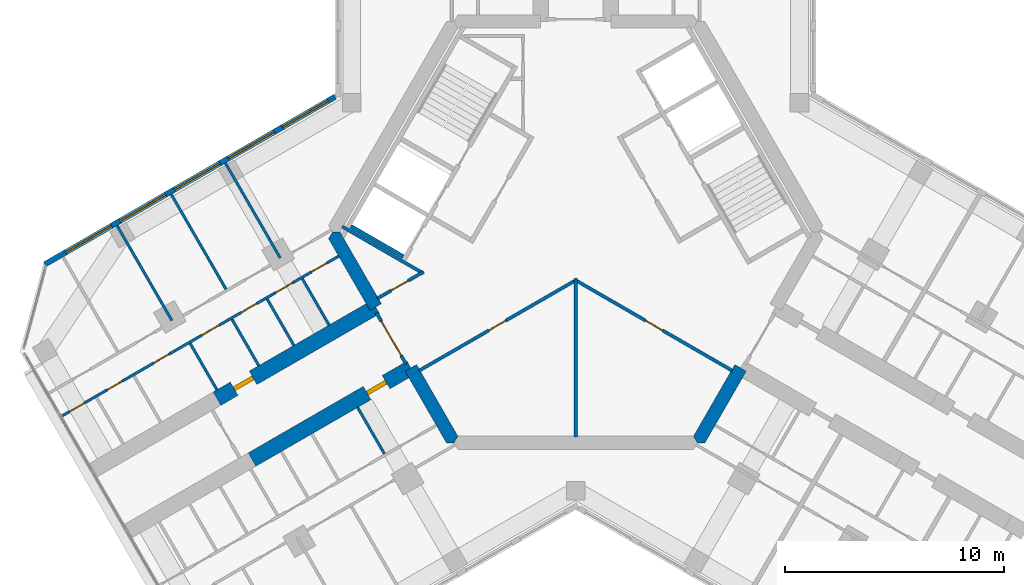
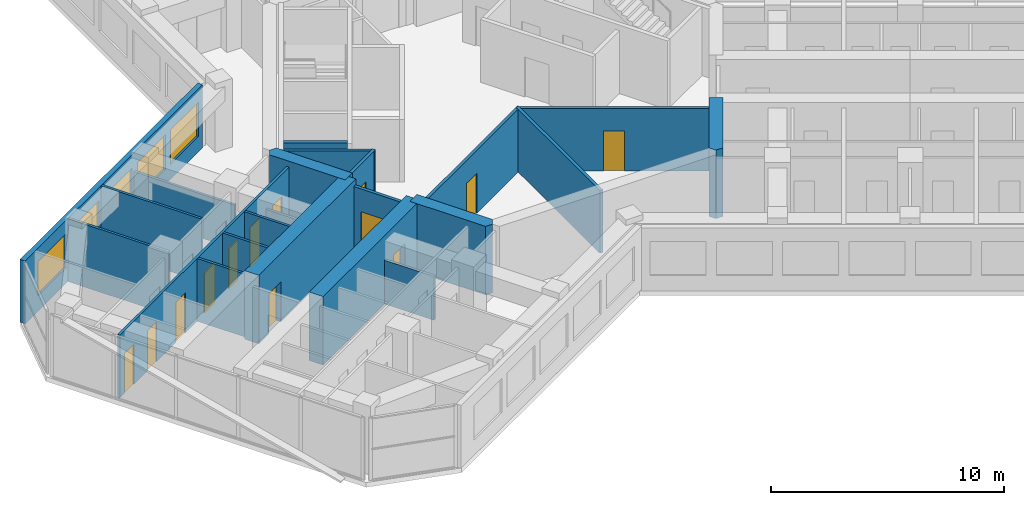
# One storey, part 9 of 16: 22 walls, 13 doors, 5 windows, 18 openings.
"""IFC4 building model written with IfcOpenShell, lengths in metres."""

from ifc_helpers import new_model, si_unit, direction, frame, frame_2d, origin, place, context, subcontext, project, spatial, polyline, rectangle, outline, extrude, material, layer, layer_set, type_object, element, fill, save


model = new_model("IFC4")

# Units and contexts
model_context = context("Model", 3, precision=1e-05, world=origin(), true_north=direction((0.0, 1.0)))
body_context = subcontext(model_context, "Body", "Model", "MODEL_VIEW")
ifc_project = project(units=[si_unit("LENGTHUNIT", "METRE"), si_unit("AREAUNIT", "SQUARE_METRE"), si_unit("VOLUMEUNIT", "CUBIC_METRE"), si_unit("PLANEANGLEUNIT", "RADIAN"), si_unit("MASSUNIT", "GRAM", prefix="KILO")], contexts=[model_context])

# Site, building, storey
site_placement = place(None, origin())
site = spatial("IfcSite", under=ifc_project, at=site_placement, CompositionType="ELEMENT")
building_placement = place(site_placement, origin())
building = spatial("IfcBuilding", under=site, at=building_placement, Name="Kosmar Iwan School Tower", CompositionType="ELEMENT")
storey_placement = place(building_placement, frame((0.0, 0.0, 256.800048828125)))
storey = spatial("IfcBuildingStorey", under=building, at=storey_placement, Name="L65", CompositionType="ELEMENT", Elevation=256.800048828125)

# Wall
ifc_material_1 = material(Name="Gypsum board on steel studs, fire-rated", Category="steel")
ifc_layer_1 = layer(ifc_material_1, 0.14990234375)
ifc_layer_set_1 = layer_set([ifc_layer_1], Name="Core room partition 150")
wall_type_1 = type_object("IfcWallType", Name="Core room partition 150", PredefinedType="PARTITIONING", material=ifc_layer_set_1)
wall_1_placement = place(storey_placement, frame((0.0, -9.344970703125, 0.0), z_axis=(0.0, 0.0, 1.0), x_axis=(0.0, 1.0, 0.0)))
element("IfcWall", 1, at=wall_1_placement, inside=storey, type_object=wall_type_1, Name="Core room partition L65-CW5", PredefinedType="PARTITIONING", context=body_context, shape_type="SweptSolid", body=[
    extrude(rectangle(XDim=7.22607421875, YDim=0.14990234375, at=frame_2d((3.613037109375, 0.0))), origin(), (0.0, 0.0, 1.0), 3.300048828125),
])

# Wall, opening, door
wall_2_placement = place(storey_placement, frame((-0.06494140625, -2.156494140625, 0.0), z_axis=(0.0, 0.0, 1.0), x_axis=(0.866034159509, -0.499984834333, 0.0)))
wall_2 = element("IfcWall", 2, at=wall_2_placement, inside=storey, type_object=wall_type_1, Name="Core room partition L65-CW6", PredefinedType="PARTITIONING", context=body_context, shape_type="SweptSolid", body=[
    extrude(rectangle(XDim=8.322998046875, YDim=0.14990234375, at=frame_2d((4.16162109375, 0.0))), origin(), (0.0, 0.0, 1.0), 3.300048828125),
])
opening_1_placement = place(wall_2_placement, frame((3.7470703125, 0.0, 0.0)))
opening_1 = element("IfcOpeningElement", 3, at=opening_1_placement, cuts=wall_2, Name="Opening D14", PredefinedType="OPENING", context=body_context, shape_type="SweptSolid", body=[
    extrude(rectangle(XDim=0.89990234375, YDim=2.10009765625, at=frame_2d((0.449951171875, 1.050048828125))), frame((0.0, 0.0869140625, 0.0), z_axis=(0.0, -1.0, 0.0), x_axis=(1.0, 0.0, 0.0)), (0.0, 0.0, 1.0), 0.173828125),
])
ifc_material_2 = material(Name="Timber fire door in steel frame", Category="steel")
door_type_1 = type_object("IfcDoorType", Name="Core room door 900x2100", OperationType="SINGLE_SWING_LEFT", PredefinedType="DOOR", material=ifc_material_2)
door_1_placement = place(opening_1_placement, origin())
door_1 = element("IfcDoor", 4, at=door_1_placement, inside=storey, type_object=door_type_1, Name="Refuse and recycling room door L65 3", OperationType="SINGLE_SWING_RIGHT", OverallHeight=2.10009765625, OverallWidth=0.89990234375, PredefinedType="DOOR", context=body_context, shape_type="SweptSolid", body=[
    extrude(rectangle(XDim=0.89990234375, YDim=2.10009765625, at=frame_2d((0.449951171875, 1.050048828125))), frame((0.0, 0.02490234375, 0.0), z_axis=(0.0, -1.0, 0.0), x_axis=(1.0, 0.0, 0.0)), (0.0, 0.0, 1.0), 0.050048828125),
])
fill(opening_1, door_1)

wall_3_placement = place(storey_placement, frame((-7.14306640625, -6.31787109375, 0.0), z_axis=(0.0, 0.0, 1.0), x_axis=(0.866034159509, 0.499984834333, 0.0)))
wall_3 = element("IfcWall", 5, at=wall_3_placement, inside=storey, type_object=wall_type_1, Name="Core room partition L65-CW7", PredefinedType="PARTITIONING", context=body_context, shape_type="SweptSolid", body=[
    extrude(rectangle(XDim=8.322998046875, YDim=0.14990234375, at=frame_2d((4.16162109375, 0.0))), origin(), (0.0, 0.0, 1.0), 3.300048828125),
])
opening_2_placement = place(wall_3_placement, frame((3.677001953125, 0.0, 0.0)))
opening_2 = element("IfcOpeningElement", 6, at=opening_2_placement, cuts=wall_3, Name="Opening D14", PredefinedType="OPENING", context=body_context, shape_type="SweptSolid", body=[
    extrude(rectangle(XDim=0.89990234375, YDim=2.10009765625, at=frame_2d((0.449951171875, 1.050048828125))), frame((0.0, 0.0869140625, 0.0), z_axis=(0.0, -1.0, 0.0), x_axis=(1.0, 0.0, 0.0)), (0.0, 0.0, 1.0), 0.173828125),
])
door_2_placement = place(opening_2_placement, origin())
door_2 = element("IfcDoor", 7, at=door_2_placement, inside=storey, type_object=door_type_1, Name="Bulky waste store door L65 4", OperationType="SINGLE_SWING_LEFT", OverallHeight=2.10009765625, OverallWidth=0.89990234375, PredefinedType="DOOR", context=body_context, shape_type="SweptSolid", body=[
    extrude(rectangle(XDim=0.89990234375, YDim=2.10009765625, at=frame_2d((0.449951171875, 1.050048828125))), frame((0.0, 0.02490234375, 0.0), z_axis=(0.0, -1.0, 0.0), x_axis=(1.0, 0.0, 0.0)), (0.0, 0.0, 1.0), 0.050048828125),
])
fill(opening_2, door_2)

# Wall
wall_4_placement = place(storey_placement, frame((-10.64306640625, 0.255859375, 0.0), z_axis=(0.0, 0.0, 1.0), x_axis=(0.866020364144, -0.500008728811, 0.0)))
element("IfcWall", 8, at=wall_4_placement, inside=storey, type_object=wall_type_1, Name="Core room partition L65-CW8", PredefinedType="PARTITIONING", context=body_context, shape_type="SweptSolid", body=[
    extrude(rectangle(XDim=4.28173828125, YDim=0.14990234375, at=frame_2d((2.140869140625, 0.0))), origin(), (0.0, 0.0, 1.0), 3.300048828125),
])

# Wall, opening, door
wall_5_placement = place(storey_placement, frame((-6.93505859375, -1.81005859375, 0.0), z_axis=(0.0, 0.0, 1.0), x_axis=(-0.86601855109, -0.500011869027, 0.0)))
wall_5 = element("IfcWall", 9, at=wall_5_placement, inside=storey, type_object=wall_type_1, Name="Core room partition L65-CW9", PredefinedType="PARTITIONING", context=body_context, shape_type="SweptSolid", body=[
    extrude(rectangle(XDim=2.43408203125, YDim=0.14990234375, at=frame_2d((1.217041015625, 0.0))), origin(), (0.0, 0.0, 1.0), 3.300048828125),
])
opening_3_placement = place(wall_5_placement, frame((0.802001953125, 0.0, 0.0)))
opening_3 = element("IfcOpeningElement", 10, at=opening_3_placement, cuts=wall_5, Name="Opening D14", PredefinedType="OPENING", context=body_context, shape_type="SweptSolid", body=[
    extrude(rectangle(XDim=0.89990234375, YDim=2.10009765625, at=frame_2d((0.449951171875, 1.050048828125))), frame((0.0, 0.0869140625, 0.0), z_axis=(0.0, -1.0, 0.0), x_axis=(1.0, 0.0, 0.0)), (0.0, 0.0, 1.0), 0.173828125),
])
door_3_placement = place(opening_3_placement, origin())
door_3 = element("IfcDoor", 11, at=door_3_placement, inside=storey, type_object=door_type_1, Name="Linen store door L65 5", OperationType="SINGLE_SWING_RIGHT", OverallHeight=2.10009765625, OverallWidth=0.89990234375, PredefinedType="DOOR", context=body_context, shape_type="SweptSolid", body=[
    extrude(rectangle(XDim=0.89990234375, YDim=2.10009765625, at=frame_2d((0.449951171875, 1.050048828125))), frame((0.0, 0.02490234375, 0.0), z_axis=(0.0, -1.0, 0.0), x_axis=(1.0, 0.0, 0.0)), (0.0, 0.0, 1.0), 0.050048828125),
])
fill(opening_3, door_3)

# Walls
ifc_material_3 = material(Name="Concrete C50/60", Category="concrete")
ifc_layer_2 = layer(ifc_material_3, 0.60009765625)
ifc_layer_set_2 = layer_set([ifc_layer_2], Name="Core wall 600")
wall_type_2 = type_object("IfcWallType", Name="Core wall 600", PredefinedType="SHEAR", material=ifc_layer_set_2)
wall_6_placement = place(storey_placement, origin())
element("IfcWall", 12, at=wall_6_placement, inside=storey, type_object=wall_type_2, Name="Core wall F210a", PredefinedType="SHEAR", context=body_context, shape_type="SweptSolid", body=[
    extrude(outline(polyline([(-9.37353515625, -3.564453125), (-8.85400390625, -3.264404296875), (-10.73876953125, 0.0), (-11.085205078125, 0.0), (-11.25830078125, -0.300048828125), (-9.37353515625, -3.564453125)])), origin(), (0.0, 0.0, 1.0), 3.599853515625),
])
wall_7_placement = place(storey_placement, origin())
element("IfcWall", 13, at=wall_7_placement, inside=storey, type_object=wall_type_2, Name="Core wall F210b", PredefinedType="SHEAR", context=body_context, shape_type="SweptSolid", body=[
    extrude(outline(polyline([(-5.888916015625, -9.60009765625), (-5.54248046875, -9.60009765625), (-5.369384765625, -9.300048828125), (-7.254150390625, -6.03564453125), (-7.773681640625, -6.335693359375), (-5.888916015625, -9.60009765625)])), origin(), (0.0, 0.0, 1.0), 3.599853515625),
])
wall_8_placement = place(storey_placement, origin())
element("IfcWall", 14, at=wall_8_placement, inside=storey, type_object=wall_type_2, Name="Core wall F330a", PredefinedType="SHEAR", context=body_context, shape_type="SweptSolid", body=[
    extrude(outline(polyline([(5.54248046875, -9.60009765625), (5.888916015625, -9.60009765625), (7.773681640625, -6.335693359375), (7.254150390625, -6.03564453125), (5.369384765625, -9.300048828125), (5.54248046875, -9.60009765625)])), origin(), (0.0, 0.0, 1.0), 3.599853515625),
])

# Wall, opening, door
ifc_material_4 = material(Name="Concrete C50/60", Category="concrete")
ifc_layer_3 = layer(ifc_material_4, 0.699951171875)
ifc_layer_set_3 = layer_set([ifc_layer_3], Name="Corridor buttress wall 700")
wall_type_3 = type_object("IfcWallType", Name="Corridor buttress wall 700", PredefinedType="SHEAR", material=ifc_layer_set_3)
wall_9_placement = place(storey_placement, frame((-7.513916015625, -6.185546875, 0.0), z_axis=(0.0, 0.0, 1.0), x_axis=(-0.866019549707, -0.500010139422, 0.0)))
wall_9 = element("IfcWall", 15, at=wall_9_placement, inside=storey, type_object=wall_type_3, Name="Corridor wall BL", PredefinedType="SHEAR", context=body_context, shape_type="SweptSolid", body=[
    extrude(rectangle(XDim=8.349853515625, YDim=0.699951171875, at=frame_2d((4.1748046875, 0.0))), origin(), (0.0, 0.0, 1.0), 3.599853515625),
])
opening_4_placement = place(wall_9_placement, frame((1.300048828125, 0.0, 0.0)))
opening_4 = element("IfcOpeningElement", 16, at=opening_4_placement, cuts=wall_9, Name="Opening D1", PredefinedType="OPENING", context=body_context, shape_type="SweptSolid", body=[
    extrude(rectangle(XDim=1.0, YDim=2.10009765625, at=frame_2d((0.5, 1.050048828125))), frame((0.0, 0.362060546875, 0.0), z_axis=(0.0, -1.0, 0.0), x_axis=(1.0, 0.0, 0.0)), (0.0, 0.0, 1.0), 0.723876953125),
])
ifc_material_5 = material(Name="Timber fire door in steel frame", Category="steel")
door_type_2 = type_object("IfcDoorType", Name="Flat entrance door 1000x2100", OperationType="SINGLE_SWING_LEFT", PredefinedType="DOOR", material=ifc_material_5)
door_4_placement = place(opening_4_placement, origin())
door_4 = element("IfcDoor", 17, at=door_4_placement, inside=storey, type_object=door_type_2, Name="Flat L65-BL1 entrance door", OperationType="SINGLE_SWING_RIGHT", OverallHeight=2.10009765625, OverallWidth=1.0, PredefinedType="DOOR", context=body_context, shape_type="SweptSolid", body=[
    extrude(rectangle(XDim=1.0, YDim=2.10009765625, at=frame_2d((0.5, 1.050048828125))), frame((0.0, 0.10009765625, 0.0), z_axis=(0.0, -1.0, 0.0), x_axis=(1.0, 0.0, 0.0)), (0.0, 0.0, 1.0), 0.199951171875),
])
fill(opening_4, door_4)

wall_10_placement = place(storey_placement, frame((-9.11376953125, -3.414306640625, 0.0), z_axis=(0.0, 0.0, 1.0), x_axis=(-0.866026859388, -0.499997478812, 0.0)))
wall_10 = element("IfcWall", 18, at=wall_10_placement, inside=storey, type_object=wall_type_3, Name="Corridor wall BR", PredefinedType="SHEAR", context=body_context, shape_type="SweptSolid", body=[
    extrude(rectangle(XDim=8.35009765625, YDim=0.699951171875, at=frame_2d((4.175048828125, 0.0))), origin(), (0.0, 0.0, 1.0), 3.599853515625),
])
opening_5_placement = place(wall_10_placement, frame((6.449951171875, 0.0, 0.0)))
opening_5 = element("IfcOpeningElement", 19, at=opening_5_placement, cuts=wall_10, Name="Opening D1", PredefinedType="OPENING", context=body_context, shape_type="SweptSolid", body=[
    extrude(rectangle(XDim=1.0, YDim=2.10009765625, at=frame_2d((0.5, 1.050048828125))), frame((0.0, 0.362060546875, 0.0), z_axis=(0.0, -1.0, 0.0), x_axis=(1.0, 0.0, 0.0)), (0.0, 0.0, 1.0), 0.723876953125),
])
door_5_placement = place(opening_5_placement, origin())
door_5 = element("IfcDoor", 20, at=door_5_placement, inside=storey, type_object=door_type_2, Name="Flat L65-BR1 entrance door", OperationType="SINGLE_SWING_RIGHT", OverallHeight=2.10009765625, OverallWidth=1.0, PredefinedType="DOOR", context=body_context, shape_type="SweptSolid", body=[
    extrude(rectangle(XDim=1.0, YDim=2.10009765625, at=frame_2d((0.5, 1.050048828125))), frame((0.0, 0.10009765625, 0.0), z_axis=(0.0, -1.0, 0.0), x_axis=(1.0, 0.0, 0.0)), (0.0, 0.0, 1.0), 0.199951171875),
])
fill(opening_5, door_5)

ifc_material_6 = material(Name="Steel framed glazed screen", Category="steel")
ifc_layer_4 = layer(ifc_material_6, 0.14990234375)
ifc_layer_set_4 = layer_set([ifc_layer_4], Name="Corridor screen wall 150")
wall_type_4 = type_object("IfcWallType", Name="Corridor screen wall 150", PredefinedType="PARTITIONING", material=ifc_layer_set_4)
wall_11_placement = place(storey_placement, frame((-9.075439453125, -3.680908203125, 0.0), z_axis=(0.0, 0.0, 1.0), x_axis=(0.500048589285, -0.86599734893, 0.0)))
wall_11 = element("IfcWall", 21, at=wall_11_placement, inside=storey, type_object=wall_type_4, Name="Corridor screen B L65", PredefinedType="PARTITIONING", context=body_context, shape_type="SweptSolid", body=[
    extrude(rectangle(XDim=2.699951171875, YDim=0.14990234375, at=frame_2d((1.35009765625, 0.0))), origin(), (0.0, 0.0, 1.0), 3.300048828125),
])
opening_6_placement = place(wall_11_placement, frame((0.449951171875, 0.0, 0.0)))
opening_6 = element("IfcOpeningElement", 22, at=opening_6_placement, cuts=wall_11, Name="Opening D9", PredefinedType="OPENING", context=body_context, shape_type="SweptSolid", body=[
    extrude(rectangle(XDim=1.800048828125, YDim=2.10009765625, at=frame_2d((0.89990234375, 1.050048828125))), frame((0.0, 0.0869140625, 0.0), z_axis=(0.0, -1.0, 0.0), x_axis=(1.0, 0.0, 0.0)), (0.0, 0.0, 1.0), 0.173828125),
])
ifc_material_7 = material(Name="Steel framed glazed smoke door", Category="steel")
door_type_3 = type_object("IfcDoorType", Name="Corridor smoke door pair 1800x2100", OperationType="DOUBLE_DOOR_DOUBLE_SWING", PredefinedType="DOOR", material=ifc_material_7)
door_6_placement = place(opening_6_placement, origin())
door_6 = element("IfcDoor", 23, at=door_6_placement, inside=storey, type_object=door_type_3, Name="Corridor doors B L65", OperationType="DOUBLE_DOOR_DOUBLE_SWING", OverallHeight=2.10009765625, OverallWidth=1.800048828125, PredefinedType="DOOR", context=body_context, shape_type="SweptSolid", body=[
    extrude(rectangle(XDim=1.800048828125, YDim=2.10009765625, at=frame_2d((0.89990234375, 1.050048828125))), frame((0.0, 0.02490234375, 0.0), z_axis=(0.0, -1.0, 0.0), x_axis=(1.0, 0.0, 0.0)), (0.0, 0.0, 1.0), 0.050048828125),
])
fill(opening_6, door_6)

# Wall
ifc_material_8 = material(Name="Gypsum board on steel studs", Category="steel")
ifc_layer_5 = layer(ifc_material_8, 0.1201171875)
ifc_layer_set_5 = layer_set([ifc_layer_5], Name="Dwelling partition 120")
wall_type_5 = type_object("IfcWallType", Name="Dwelling partition 120", PredefinedType="PARTITIONING", material=ifc_layer_set_5)
wall_12_placement = place(storey_placement, frame((-9.93701171875, -7.98876953125, 0.0), z_axis=(0.0, 0.0, 1.0), x_axis=(0.500077547548, -0.865980627057, 0.0)))
element("IfcWall", 24, at=wall_12_placement, inside=storey, type_object=wall_type_5, Name="Partition L65-BL1-Y1", PredefinedType="PARTITIONING", context=body_context, shape_type="SweptSolid", body=[
    extrude(rectangle(XDim=2.43994140625, YDim=0.1201171875, at=frame_2d((1.219970703125, 0.0))), origin(), (0.0, 0.0, 1.0), 2.300048828125),
])

# Wall, openings, doors
wall_13_placement = place(storey_placement, frame((-10.798583984375, -1.09619140625, 0.0), z_axis=(0.0, 0.0, 1.0), x_axis=(-0.866028217562, -0.499995126363, 0.0)))
wall_13 = element("IfcWall", 25, at=wall_13_placement, inside=storey, type_object=wall_type_5, Name="Partition L65-BR1-W1", PredefinedType="PARTITIONING", context=body_context, shape_type="SweptSolid", body=[
    extrude(rectangle(XDim=14.545166015625, YDim=0.1201171875, at=frame_2d((7.2724609375, 0.0))), origin(), (0.0, 0.0, 1.0), 3.300048828125),
])
opening_7_placement = place(wall_13_placement, frame((0.625, 0.0, 0.0)))
opening_7 = element("IfcOpeningElement", 26, at=opening_7_placement, cuts=wall_13, Name="Opening D3", PredefinedType="OPENING", context=body_context, shape_type="SweptSolid", body=[
    extrude(rectangle(XDim=0.800048828125, YDim=2.10009765625, at=frame_2d((0.39990234375, 1.050048828125))), frame((0.0, 0.072021484375, 0.0), z_axis=(0.0, -1.0, 0.0), x_axis=(1.0, 0.0, 0.0)), (0.0, 0.0, 1.0), 0.14404296875),
])
opening_8_placement = place(wall_13_placement, frame((2.425048828125, 0.0, 0.0)))
opening_8 = element("IfcOpeningElement", 27, at=opening_8_placement, cuts=wall_13, Name="Opening D2", PredefinedType="OPENING", context=body_context, shape_type="SweptSolid", body=[
    extrude(rectangle(XDim=0.89990234375, YDim=2.10009765625, at=frame_2d((0.449951171875, 1.050048828125))), frame((0.0, 0.072021484375, 0.0), z_axis=(0.0, -1.0, 0.0), x_axis=(1.0, 0.0, 0.0)), (0.0, 0.0, 1.0), 0.14404296875),
])
opening_9_placement = place(wall_13_placement, frame((4.324951171875, 0.0, 0.0)))
opening_9 = element("IfcOpeningElement", 28, at=opening_9_placement, cuts=wall_13, Name="Opening D3", PredefinedType="OPENING", context=body_context, shape_type="SweptSolid", body=[
    extrude(rectangle(XDim=0.800048828125, YDim=2.10009765625, at=frame_2d((0.39990234375, 1.050048828125))), frame((0.0, 0.072021484375, 0.0), z_axis=(0.0, -1.0, 0.0), x_axis=(1.0, 0.0, 0.0)), (0.0, 0.0, 1.0), 0.14404296875),
])
opening_10_placement = place(wall_13_placement, frame((6.300048828125, 0.0, 0.0)))
opening_10 = element("IfcOpeningElement", 29, at=opening_10_placement, cuts=wall_13, Name="Opening D2", PredefinedType="OPENING", context=body_context, shape_type="SweptSolid", body=[
    extrude(rectangle(XDim=0.89990234375, YDim=2.10009765625, at=frame_2d((0.449951171875, 1.050048828125))), frame((0.0, 0.072021484375, 0.0), z_axis=(0.0, -1.0, 0.0), x_axis=(1.0, 0.0, 0.0)), (0.0, 0.0, 1.0), 0.14404296875),
])
opening_11_placement = place(wall_13_placement, frame((8.928466796875, 0.0, 0.0)))
opening_11 = element("IfcOpeningElement", 30, at=opening_11_placement, cuts=wall_13, Name="Opening D3", PredefinedType="OPENING", context=body_context, shape_type="SweptSolid", body=[
    extrude(rectangle(XDim=0.800048828125, YDim=2.10009765625, at=frame_2d((0.39990234375, 1.050048828125))), frame((0.0, 0.072021484375, 0.0), z_axis=(0.0, -1.0, 0.0), x_axis=(1.0, 0.0, 0.0)), (0.0, 0.0, 1.0), 0.14404296875),
])
opening_12_placement = place(wall_13_placement, frame((11.392822265625, 0.0, 0.0)))
opening_12 = element("IfcOpeningElement", 31, at=opening_12_placement, cuts=wall_13, Name="Opening D3", PredefinedType="OPENING", context=body_context, shape_type="SweptSolid", body=[
    extrude(rectangle(XDim=0.800048828125, YDim=2.10009765625, at=frame_2d((0.39990234375, 1.050048828125))), frame((0.0, 0.072021484375, 0.0), z_axis=(0.0, -1.0, 0.0), x_axis=(1.0, 0.0, 0.0)), (0.0, 0.0, 1.0), 0.14404296875),
])
opening_13_placement = place(wall_13_placement, frame((13.3642578125, 0.0, 0.0)))
opening_13 = element("IfcOpeningElement", 32, at=opening_13_placement, cuts=wall_13, Name="Opening D3", PredefinedType="OPENING", context=body_context, shape_type="SweptSolid", body=[
    extrude(rectangle(XDim=0.800048828125, YDim=2.10009765625, at=frame_2d((0.39990234375, 1.050048828125))), frame((0.0, 0.072021484375, 0.0), z_axis=(0.0, -1.0, 0.0), x_axis=(1.0, 0.0, 0.0)), (0.0, 0.0, 1.0), 0.14404296875),
])
ifc_material_9 = material(Name="Timber door in timber frame", Category="wood")
door_type_4 = type_object("IfcDoorType", Name="Internal door 900x2100", OperationType="SINGLE_SWING_LEFT", PredefinedType="DOOR", material=ifc_material_9)
door_7_placement = place(opening_8_placement, origin())
door_7 = element("IfcDoor", 33, at=door_7_placement, inside=storey, type_object=door_type_4, Name="Pantry door L65-BR1-S2", OperationType="SINGLE_SWING_RIGHT", OverallHeight=2.10009765625, OverallWidth=0.89990234375, PredefinedType="DOOR", context=body_context, shape_type="SweptSolid", body=[
    extrude(rectangle(XDim=0.89990234375, YDim=2.10009765625, at=frame_2d((0.449951171875, 1.050048828125))), frame((0.0, 0.02490234375, 0.0), z_axis=(0.0, -1.0, 0.0), x_axis=(1.0, 0.0, 0.0)), (0.0, 0.0, 1.0), 0.050048828125),
])
fill(opening_8, door_7)
door_8_placement = place(opening_10_placement, origin())
door_8 = element("IfcDoor", 34, at=door_8_placement, inside=storey, type_object=door_type_4, Name="Entrance hall door L65-BR1-S4", OperationType="SINGLE_SWING_RIGHT", OverallHeight=2.10009765625, OverallWidth=0.89990234375, PredefinedType="DOOR", context=body_context, shape_type="SweptSolid", body=[
    extrude(rectangle(XDim=0.89990234375, YDim=2.10009765625, at=frame_2d((0.449951171875, 1.050048828125))), frame((0.0, 0.02490234375, 0.0), z_axis=(0.0, -1.0, 0.0), x_axis=(1.0, 0.0, 0.0)), (0.0, 0.0, 1.0), 0.050048828125),
])
fill(opening_10, door_8)
ifc_material_10 = material(Name="Timber door in timber frame", Category="wood")
door_type_5 = type_object("IfcDoorType", Name="Sanitary room door 800x2100", OperationType="SINGLE_SWING_LEFT", PredefinedType="DOOR", material=ifc_material_10)
door_9_placement = place(opening_7_placement, origin())
door_9 = element("IfcDoor", 35, at=door_9_placement, inside=storey, type_object=door_type_5, Name="Store door L65-BR1-S1", OperationType="SINGLE_SWING_LEFT", OverallHeight=2.10009765625, OverallWidth=0.800048828125, PredefinedType="DOOR", context=body_context, shape_type="SweptSolid", body=[
    extrude(rectangle(XDim=0.800048828125, YDim=2.10009765625, at=frame_2d((0.39990234375, 1.050048828125))), frame((0.0, 0.02490234375, 0.0), z_axis=(0.0, -1.0, 0.0), x_axis=(1.0, 0.0, 0.0)), (0.0, 0.0, 1.0), 0.050048828125),
])
fill(opening_7, door_9)
door_10_placement = place(opening_9_placement, origin())
door_10 = element("IfcDoor", 36, at=door_10_placement, inside=storey, type_object=door_type_5, Name="Grandparents' shower room door L65-BR1-S3", OperationType="SINGLE_SWING_LEFT", OverallHeight=2.10009765625, OverallWidth=0.800048828125, PredefinedType="DOOR", context=body_context, shape_type="SweptSolid", body=[
    extrude(rectangle(XDim=0.800048828125, YDim=2.10009765625, at=frame_2d((0.39990234375, 1.050048828125))), frame((0.0, 0.02490234375, 0.0), z_axis=(0.0, -1.0, 0.0), x_axis=(1.0, 0.0, 0.0)), (0.0, 0.0, 1.0), 0.050048828125),
])
fill(opening_9, door_10)
door_11_placement = place(opening_11_placement, origin())
door_11 = element("IfcDoor", 37, at=door_11_placement, inside=storey, type_object=door_type_5, Name="Bathroom door L65-BR1-S5", OperationType="SINGLE_SWING_LEFT", OverallHeight=2.10009765625, OverallWidth=0.800048828125, PredefinedType="DOOR", context=body_context, shape_type="SweptSolid", body=[
    extrude(rectangle(XDim=0.800048828125, YDim=2.10009765625, at=frame_2d((0.39990234375, 1.050048828125))), frame((0.0, 0.02490234375, 0.0), z_axis=(0.0, -1.0, 0.0), x_axis=(1.0, 0.0, 0.0)), (0.0, 0.0, 1.0), 0.050048828125),
])
fill(opening_11, door_11)
door_12_placement = place(opening_12_placement, origin())
door_12 = element("IfcDoor", 38, at=door_12_placement, inside=storey, type_object=door_type_5, Name="Shower room door L65-BR1-S6", OperationType="SINGLE_SWING_RIGHT", OverallHeight=2.10009765625, OverallWidth=0.800048828125, PredefinedType="DOOR", context=body_context, shape_type="SweptSolid", body=[
    extrude(rectangle(XDim=0.800048828125, YDim=2.10009765625, at=frame_2d((0.39990234375, 1.050048828125))), frame((0.0, 0.02490234375, 0.0), z_axis=(0.0, -1.0, 0.0), x_axis=(1.0, 0.0, 0.0)), (0.0, 0.0, 1.0), 0.050048828125),
])
fill(opening_12, door_12)
door_13_placement = place(opening_13_placement, origin())
door_13 = element("IfcDoor", 39, at=door_13_placement, inside=storey, type_object=door_type_5, Name="WC door L65-BR1-S7", OperationType="SINGLE_SWING_RIGHT", OverallHeight=2.10009765625, OverallWidth=0.800048828125, PredefinedType="DOOR", context=body_context, shape_type="SweptSolid", body=[
    extrude(rectangle(XDim=0.800048828125, YDim=2.10009765625, at=frame_2d((0.39990234375, 1.050048828125))), frame((0.0, 0.02490234375, 0.0), z_axis=(0.0, -1.0, 0.0), x_axis=(1.0, 0.0, 0.0)), (0.0, 0.0, 1.0), 0.050048828125),
])
fill(opening_13, door_13)

# Walls
wall_14_placement = place(storey_placement, frame((-13.4638671875, -1.179931640625, 0.0), z_axis=(0.0, 0.0, 1.0), x_axis=(-0.499975153383, 0.86603974851, 0.0)))
element("IfcWall", 40, at=wall_14_placement, inside=storey, type_object=wall_type_5, Name="Partition L65-BR1-X1", PredefinedType="PARTITIONING", context=body_context, shape_type="SweptSolid", body=[
    extrude(rectangle(XDim=4.989990234375, YDim=0.1201171875, at=frame_2d((2.4951171875, 0.0))), origin(), (0.0, 0.0, 1.0), 2.300048828125),
])
for number, where, z_axis, x_axis, name in (
    (41, (-15.931884765625, -2.60498046875, 0.0), (0.0, 0.0, 1.0), (-0.500011847778, 0.866018563358, 0.0), "Partition L65-BR1-X2"),
    (42, (-18.400146484375, -4.030029296875, 0.0), (0.0, 0.0, 1.0), (-0.500011847778, 0.866018563358, 0.0), "Partition L65-BR1-X3"),
):
    element("IfcWall", number, at=place(storey_placement, frame(where, z_axis=z_axis, x_axis=x_axis)), inside=storey, type_object=wall_type_5, Name=name, PredefinedType="PARTITIONING", context=body_context, shape_type="SweptSolid", body=[
        extrude(rectangle(XDim=4.990234375, YDim=0.1201171875, at=frame_2d((2.4951171875, 0.0))), origin(), (0.0, 0.0, 1.0), 3.300048828125),
    ])
wall_15_placement = place(storey_placement, frame((-11.2373046875, -4.236328125, 0.0), z_axis=(0.0, 0.0, 1.0), x_axis=(-0.500034220881, 0.866005645448, 0.0)))
element("IfcWall", 43, at=wall_15_placement, inside=storey, type_object=wall_type_5, Name="Partition L65-BR1-Y1", PredefinedType="PARTITIONING", context=body_context, shape_type="SweptSolid", body=[
    extrude(rectangle(XDim=2.440185546875, YDim=0.1201171875, at=frame_2d((1.22021484375, 0.0))), origin(), (0.0, 0.0, 1.0), 2.300048828125),
])
wall_16_placement = place(storey_placement, frame((-12.839599609375, -5.161376953125, 0.0), z_axis=(0.0, 0.0, 1.0), x_axis=(-0.499959183527, 0.866048967903, 0.0)))
element("IfcWall", 44, at=wall_16_placement, inside=storey, type_object=wall_type_5, Name="Partition L65-BR1-Y2", PredefinedType="PARTITIONING", context=body_context, shape_type="SweptSolid", body=[
    extrude(rectangle(XDim=2.440185546875, YDim=0.1201171875, at=frame_2d((1.22021484375, 0.0))), origin(), (0.0, 0.0, 1.0), 3.300048828125),
])
for number, where, z_axis, x_axis, name in (
    (45, (-14.441650390625, -6.086181640625, 0.0), (0.0, 0.0, 1.0), (-0.500002508028, 0.866023955769, 0.0), "Partition L65-BR1-Y3"),
    (46, (-16.346923828125, -7.186279296875, 0.0), (0.0, 0.0, 1.0), (-0.500002508028, 0.866023955769, 0.0), "Partition L65-BR1-Y4"),
):
    element("IfcWall", number, at=place(storey_placement, frame(where, z_axis=z_axis, x_axis=x_axis)), inside=storey, type_object=wall_type_5, Name=name, PredefinedType="PARTITIONING", context=body_context, shape_type="SweptSolid", body=[
        extrude(rectangle(XDim=2.43994140625, YDim=0.1201171875, at=frame_2d((1.219970703125, 0.0))), origin(), (0.0, 0.0, 1.0), 3.300048828125),
    ])

# Wall, openings, windows
ifc_material_11 = material(Name="Black aluminium rainscreen on insulated framing", Category="aluminium")
ifc_layer_6 = layer(ifc_material_11, 0.25)
ifc_layer_set_6 = layer_set([ifc_layer_6], Name="External wall rainscreen 250")
wall_type_6 = type_object("IfcWallType", Name="External wall rainscreen 250", PredefinedType="SOLIDWALL", material=ifc_layer_set_6)
wall_17_placement = place(storey_placement, frame((-10.962890625, 6.170166015625, 0.0), z_axis=(0.0, 0.0, 1.0), x_axis=(-0.866025637253, -0.499999595621, 0.0)))
wall_17 = element("IfcWall", 47, at=wall_17_placement, inside=storey, type_object=wall_type_6, Name="External wall BR L65", PredefinedType="SOLIDWALL", context=body_context, shape_type="SweptSolid", body=[
    extrude(rectangle(XDim=15.2763671875, YDim=0.25, at=frame_2d((7.63818359375, 0.0))), origin(), (0.0, 0.0, 1.0), 3.300048828125),
])
opening_14_placement = place(wall_17_placement, frame((0.365966796875, 0.0, 0.800048828125)))
opening_14 = element("IfcOpeningElement", 48, at=opening_14_placement, cuts=wall_17, Name="Opening W5", PredefinedType="OPENING", context=body_context, shape_type="SweptSolid", body=[
    extrude(rectangle(XDim=2.39990234375, YDim=1.800048828125, at=frame_2d((1.199951171875, 0.89990234375))), frame((0.0, 0.136962890625, 0.0), z_axis=(0.0, -1.0, 0.0), x_axis=(1.0, 0.0, 0.0)), (0.0, 0.0, 1.0), 0.27392578125),
])
opening_15_placement = place(wall_17_placement, frame((3.216064453125, 0.0, 0.800048828125)))
opening_15 = element("IfcOpeningElement", 49, at=opening_15_placement, cuts=wall_17, Name="Opening W5", PredefinedType="OPENING", context=body_context, shape_type="SweptSolid", body=[
    extrude(rectangle(XDim=2.39990234375, YDim=1.800048828125, at=frame_2d((1.199951171875, 0.89990234375))), frame((0.0, 0.136962890625, 0.0), z_axis=(0.0, -1.0, 0.0), x_axis=(1.0, 0.0, 0.0)), (0.0, 0.0, 1.0), 0.27392578125),
])
opening_16_placement = place(wall_17_placement, frame((6.06591796875, 0.0, 0.800048828125)))
opening_16 = element("IfcOpeningElement", 50, at=opening_16_placement, cuts=wall_17, Name="Opening W5", PredefinedType="OPENING", context=body_context, shape_type="SweptSolid", body=[
    extrude(rectangle(XDim=2.39990234375, YDim=1.800048828125, at=frame_2d((1.199951171875, 0.89990234375))), frame((0.0, 0.136962890625, 0.0), z_axis=(0.0, -1.0, 0.0), x_axis=(1.0, 0.0, 0.0)), (0.0, 0.0, 1.0), 0.27392578125),
])
opening_17_placement = place(wall_17_placement, frame((8.916015625, 0.0, 0.800048828125)))
opening_17 = element("IfcOpeningElement", 51, at=opening_17_placement, cuts=wall_17, Name="Opening W5", PredefinedType="OPENING", context=body_context, shape_type="SweptSolid", body=[
    extrude(rectangle(XDim=2.39990234375, YDim=1.800048828125, at=frame_2d((1.199951171875, 0.89990234375))), frame((0.0, 0.136962890625, 0.0), z_axis=(0.0, -1.0, 0.0), x_axis=(1.0, 0.0, 0.0)), (0.0, 0.0, 1.0), 0.27392578125),
])
opening_18_placement = place(wall_17_placement, frame((11.76611328125, 0.0, 0.800048828125)))
opening_18 = element("IfcOpeningElement", 52, at=opening_18_placement, cuts=wall_17, Name="Opening W5", PredefinedType="OPENING", context=body_context, shape_type="SweptSolid", body=[
    extrude(rectangle(XDim=2.39990234375, YDim=1.800048828125, at=frame_2d((1.199951171875, 0.89990234375))), frame((0.0, 0.136962890625, 0.0), z_axis=(0.0, -1.0, 0.0), x_axis=(1.0, 0.0, 0.0)), (0.0, 0.0, 1.0), 0.27392578125),
])
ifc_material_12 = material(Name="Black aluminium frame with dark triple glazing", Category="aluminium")
window_type = type_object("IfcWindowType", Name="Window 2400x1800", PartitioningType="SINGLE_PANEL", PredefinedType="WINDOW", material=ifc_material_12)
window_1_placement = place(opening_14_placement, origin())
window_1 = element("IfcWindow", 53, at=window_1_placement, inside=storey, type_object=window_type, Name="Window BR L65 -1", OverallHeight=1.800048828125, OverallWidth=2.39990234375, PartitioningType="SINGLE_PANEL", PredefinedType="WINDOW", context=body_context, shape_type="SweptSolid", body=[
    extrude(rectangle(XDim=2.39990234375, YDim=1.800048828125, at=frame_2d((1.199951171875, 0.89990234375))), frame((0.0, 0.030029296875, 0.0), z_axis=(0.0, -1.0, 0.0), x_axis=(1.0, 0.0, 0.0)), (0.0, 0.0, 1.0), 0.06005859375),
])
fill(opening_14, window_1)
window_2_placement = place(opening_15_placement, origin())
window_2 = element("IfcWindow", 54, at=window_2_placement, inside=storey, type_object=window_type, Name="Window BR L65 0", OverallHeight=1.800048828125, OverallWidth=2.39990234375, PartitioningType="SINGLE_PANEL", PredefinedType="WINDOW", context=body_context, shape_type="SweptSolid", body=[
    extrude(rectangle(XDim=2.39990234375, YDim=1.800048828125, at=frame_2d((1.199951171875, 0.89990234375))), frame((0.0, 0.030029296875, 0.0), z_axis=(0.0, -1.0, 0.0), x_axis=(1.0, 0.0, 0.0)), (0.0, 0.0, 1.0), 0.06005859375),
])
fill(opening_15, window_2)
window_3_placement = place(opening_16_placement, origin())
window_3 = element("IfcWindow", 55, at=window_3_placement, inside=storey, type_object=window_type, Name="Window BR L65 1", OverallHeight=1.800048828125, OverallWidth=2.39990234375, PartitioningType="SINGLE_PANEL", PredefinedType="WINDOW", context=body_context, shape_type="SweptSolid", body=[
    extrude(rectangle(XDim=2.39990234375, YDim=1.800048828125, at=frame_2d((1.199951171875, 0.89990234375))), frame((0.0, 0.030029296875, 0.0), z_axis=(0.0, -1.0, 0.0), x_axis=(1.0, 0.0, 0.0)), (0.0, 0.0, 1.0), 0.06005859375),
])
fill(opening_16, window_3)
window_4_placement = place(opening_17_placement, origin())
window_4 = element("IfcWindow", 56, at=window_4_placement, inside=storey, type_object=window_type, Name="Window BR L65 2", OverallHeight=1.800048828125, OverallWidth=2.39990234375, PartitioningType="SINGLE_PANEL", PredefinedType="WINDOW", context=body_context, shape_type="SweptSolid", body=[
    extrude(rectangle(XDim=2.39990234375, YDim=1.800048828125, at=frame_2d((1.199951171875, 0.89990234375))), frame((0.0, 0.030029296875, 0.0), z_axis=(0.0, -1.0, 0.0), x_axis=(1.0, 0.0, 0.0)), (0.0, 0.0, 1.0), 0.06005859375),
])
fill(opening_17, window_4)
window_5_placement = place(opening_18_placement, origin())
window_5 = element("IfcWindow", 57, at=window_5_placement, inside=storey, type_object=window_type, Name="Window BR L65 3", OverallHeight=1.800048828125, OverallWidth=2.39990234375, PartitioningType="SINGLE_PANEL", PredefinedType="WINDOW", context=body_context, shape_type="SweptSolid", body=[
    extrude(rectangle(XDim=2.39990234375, YDim=1.800048828125, at=frame_2d((1.199951171875, 0.89990234375))), frame((0.0, 0.030029296875, 0.0), z_axis=(0.0, -1.0, 0.0), x_axis=(1.0, 0.0, 0.0)), (0.0, 0.0, 1.0), 0.06005859375),
])
fill(opening_18, window_5)

# Wall
ifc_material_13 = material(Name="Concrete C50/60", Category="concrete")
ifc_layer_7 = layer(ifc_material_13, 0.199951171875)
ifc_layer_set_7 = layer_set([ifc_layer_7], Name="Lift shaft wall 200")
wall_type_7 = type_object("IfcWallType", Name="Lift shaft wall 200", PredefinedType="SHEAR", material=ifc_layer_set_7)
wall_18_placement = place(storey_placement, frame((-7.862548828125, -1.118408203125, 0.0), z_axis=(0.0, 0.0, 1.0), x_axis=(-0.866027397988, 0.499996545922, 0.0)))
element("IfcWall", 58, at=wall_18_placement, inside=storey, type_object=wall_type_7, Name="Lift shaft wall AB 2", PredefinedType="SHEAR", context=body_context, shape_type="SweptSolid", body=[
    extrude(rectangle(XDim=2.75, YDim=0.199951171875, at=frame_2d((1.375, 0.0))), origin(), (0.0, 0.0, 1.0), 3.599853515625),
])

save(model, "model.ifc")
